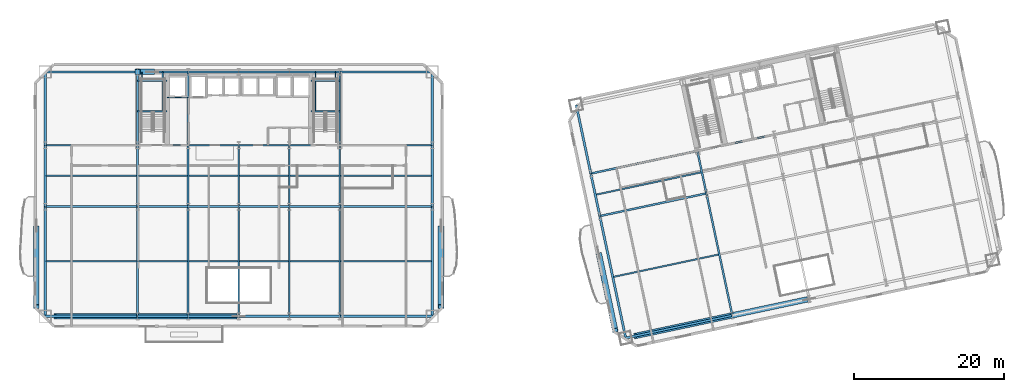
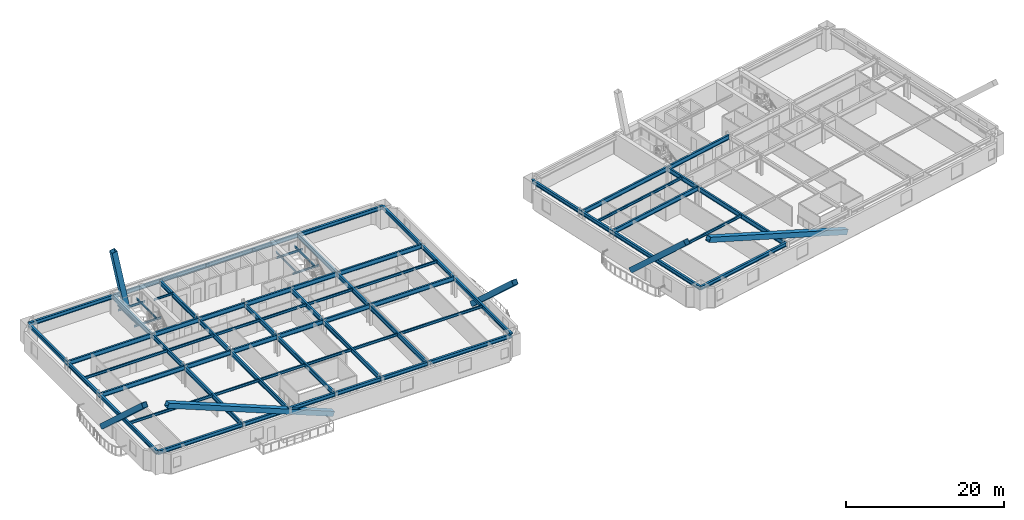
# One storey, part 3 of 17: 75 beams, 6 members.
"""IFC4 building model written with IfcOpenShell, lengths in metres."""

from ifc_helpers import new_model, si_unit, direction, frame, origin, origin_2d, place, context, subcontext, project, spatial, hollow_rectangle, i_section, extrude, material, material_profile, profile_set, type_object, element, save


model = new_model("IFC4")

# Units and contexts
model_context = context("Model", 3, precision=1e-05, world=origin(), true_north=direction((0.0, 1.0)))
body_context = subcontext(model_context, "Body", "Model", "MODEL_VIEW")
ifc_project = project(units=[si_unit("LENGTHUNIT", "METRE"), si_unit("AREAUNIT", "SQUARE_METRE"), si_unit("VOLUMEUNIT", "CUBIC_METRE"), si_unit("PLANEANGLEUNIT", "RADIAN"), si_unit("MASSUNIT", "GRAM", prefix="KILO")], contexts=[model_context])

# Site, building, storey
site_placement = place(None, origin())
site = spatial("IfcSite", under=ifc_project, at=site_placement, CompositionType="ELEMENT")
building_placement = place(site_placement, origin())
building = spatial("IfcBuilding", under=site, at=building_placement, Name="Haevon Station Towers", CompositionType="ELEMENT")
storey_placement = place(building_placement, frame((0.0, 0.0, 40.5)))
storey = spatial("IfcBuildingStorey", under=building, at=storey_placement, Name="L09", CompositionType="ELEMENT", Elevation=40.5)

# Beams
ifc_material_1 = material(Name="Steel S355", Category="steel")
ifc_material_profile_1 = material_profile(ifc_material_1, i_section(OverallWidth=0.25, OverallDepth=0.699951171875, WebThickness=0.012939453125, FlangeThickness=0.02392578125, at=origin_2d()), Name="H-700x250x13x24")
ifc_profile_set_1 = profile_set([ifc_material_profile_1], Name="Steel S355")
beam_type_1 = type_object("IfcBeamType", Name="BM-G700", PredefinedType="BEAM", material=ifc_profile_set_1)
beam_1_placement = place(storey_placement, frame((11.64990234375, 30.0, 2.699951171875), z_axis=(1.0, 0.0, 0.0), x_axis=(0.0, 1.0, 0.0)))
element("IfcBeam", 1, at=beam_1_placement, inside=storey, type_object=beam_type_1, Name="BM-T1U-L09-02-01", PredefinedType="BEAM", context=body_context, shape_type="SweptSolid", body=[
    extrude(i_section(OverallWidth=0.25, OverallDepth=0.699951171875, WebThickness=0.012939453125, FlangeThickness=0.02392578125, at=origin_2d()), origin(), (0.0, 0.0, 1.0), 12.35009765625),
])
for number, where, z_axis, x_axis, name in (
    (2, (24.0, 30.0, 2.699951171875), (1.0, 0.0, 0.0), (0.0, 1.0, 0.0), "BM-T1U-L09-02-02"),
    (3, (30.75, 30.0, 2.699951171875), (1.0, 0.0, 0.0), (0.0, 1.0, 0.0), "BM-T1U-L09-02-03"),
    (4, (37.5, 30.0, 2.699951171875), (1.0, 0.0, 0.0), (0.0, 1.0, 0.0), "BM-T1U-L09-02-04"),
    (5, (44.25, 30.0, 2.699951171875), (1.0, 0.0, 0.0), (0.0, 1.0, 0.0), "BM-T1U-L09-02-05"),
):
    element("IfcBeam", number, at=place(storey_placement, frame(where, z_axis=z_axis, x_axis=x_axis)), inside=storey, type_object=beam_type_1, Name=name, PredefinedType="BEAM", context=body_context, shape_type="SweptSolid", body=[
        extrude(i_section(OverallWidth=0.25, OverallDepth=0.699951171875, WebThickness=0.012939453125, FlangeThickness=0.02392578125, at=origin_2d()), origin(), (0.0, 0.0, 1.0), 6.75),
    ])
for number, where, z_axis, x_axis, name in (
    (6, (51.0, 30.0, 2.699951171875), (1.0, 0.0, 0.0), (0.0, 1.0, 0.0), "BM-T1U-L09-02-06"),
    (7, (11.64990234375, 38.199951171875, 2.699951171875), (1.0, 0.0, 0.0), (0.0, 1.0, 0.0), "BM-T1U-L09-03-01"),
):
    element("IfcBeam", number, at=place(storey_placement, frame(where, z_axis=z_axis, x_axis=x_axis)), inside=storey, type_object=beam_type_1, Name=name, PredefinedType="BEAM", context=body_context, shape_type="SweptSolid", body=[
        extrude(i_section(OverallWidth=0.25, OverallDepth=0.699951171875, WebThickness=0.012939453125, FlangeThickness=0.02392578125, at=origin_2d()), origin(), (0.0, 0.0, 1.0), 12.35009765625),
    ])
for number, where, z_axis, x_axis, name in (
    (8, (24.0, 38.199951171875, 2.699951171875), (1.0, 0.0, 0.0), (0.0, 1.0, 0.0), "BM-T1U-L09-03-02"),
    (9, (30.75, 38.199951171875, 2.699951171875), (1.0, 0.0, 0.0), (0.0, 1.0, 0.0), "BM-T1U-L09-03-03"),
    (10, (37.5, 38.199951171875, 2.699951171875), (1.0, 0.0, 0.0), (0.0, 1.0, 0.0), "BM-T1U-L09-03-04"),
    (11, (44.25, 38.199951171875, 2.699951171875), (1.0, 0.0, 0.0), (0.0, 1.0, 0.0), "BM-T1U-L09-03-05"),
):
    element("IfcBeam", number, at=place(storey_placement, frame(where, z_axis=z_axis, x_axis=x_axis)), inside=storey, type_object=beam_type_1, Name=name, PredefinedType="BEAM", context=body_context, shape_type="SweptSolid", body=[
        extrude(i_section(OverallWidth=0.25, OverallDepth=0.699951171875, WebThickness=0.012939453125, FlangeThickness=0.02392578125, at=origin_2d()), origin(), (0.0, 0.0, 1.0), 6.75),
    ])
beam_2_placement = place(storey_placement, frame((51.0, 38.199951171875, 2.699951171875), z_axis=(1.0, 0.0, 0.0), x_axis=(0.0, 1.0, 0.0)))
element("IfcBeam", 12, at=beam_2_placement, inside=storey, type_object=beam_type_1, Name="BM-T1U-L09-03-06", PredefinedType="BEAM", context=body_context, shape_type="SweptSolid", body=[
    extrude(i_section(OverallWidth=0.25, OverallDepth=0.699951171875, WebThickness=0.012939453125, FlangeThickness=0.02392578125, at=origin_2d()), origin(), (0.0, 0.0, 1.0), 12.35009765625),
])
beam_3_placement = place(storey_placement, frame((24.0, 15.35009765625, 2.699951171875), z_axis=(0.0, 1.0, 0.0), x_axis=(-1.0, 0.0, 0.0)))
element("IfcBeam", 13, at=beam_3_placement, inside=storey, type_object=beam_type_1, Name="BM-T1V-L09-02-01", PredefinedType="BEAM", context=body_context, shape_type="SweptSolid", body=[
    extrude(i_section(OverallWidth=0.25, OverallDepth=0.699951171875, WebThickness=0.012939453125, FlangeThickness=0.02392578125, at=origin_2d()), origin(), (0.0, 0.0, 1.0), 14.64990234375),
])
beam_4_placement = place(storey_placement, frame((24.0, 30.0, 2.699951171875), z_axis=(0.0, 1.0, 0.0), x_axis=(-1.0, 0.0, 0.0)))
element("IfcBeam", 14, at=beam_4_placement, inside=storey, type_object=beam_type_1, Name="BM-T1V-L09-02-02", PredefinedType="BEAM", context=body_context, shape_type="SweptSolid", body=[
    extrude(i_section(OverallWidth=0.25, OverallDepth=0.699951171875, WebThickness=0.012939453125, FlangeThickness=0.02392578125, at=origin_2d()), origin(), (0.0, 0.0, 1.0), 8.199951171875),
])
beam_5_placement = place(storey_placement, frame((24.0, 38.199951171875, 2.699951171875), z_axis=(0.0, 1.0, 0.0), x_axis=(-1.0, 0.0, 0.0)))
element("IfcBeam", 15, at=beam_5_placement, inside=storey, type_object=beam_type_1, Name="BM-T1V-L09-02-03", PredefinedType="BEAM", context=body_context, shape_type="SweptSolid", body=[
    extrude(i_section(OverallWidth=0.25, OverallDepth=0.699951171875, WebThickness=0.012939453125, FlangeThickness=0.02392578125, at=origin_2d()), origin(), (0.0, 0.0, 1.0), 9.800048828125),
])
beam_6_placement = place(storey_placement, frame((30.75, 15.35009765625, 2.699951171875), z_axis=(0.0, 1.0, 0.0), x_axis=(-1.0, 0.0, 0.0)))
element("IfcBeam", 16, at=beam_6_placement, inside=storey, type_object=beam_type_1, Name="BM-T1V-L09-03-01", PredefinedType="BEAM", context=body_context, shape_type="SweptSolid", body=[
    extrude(i_section(OverallWidth=0.25, OverallDepth=0.699951171875, WebThickness=0.012939453125, FlangeThickness=0.02392578125, at=origin_2d()), origin(), (0.0, 0.0, 1.0), 14.64990234375),
])
beam_7_placement = place(storey_placement, frame((30.75, 30.0, 2.699951171875), z_axis=(0.0, 1.0, 0.0), x_axis=(-1.0, 0.0, 0.0)))
element("IfcBeam", 17, at=beam_7_placement, inside=storey, type_object=beam_type_1, Name="BM-T1V-L09-03-02", PredefinedType="BEAM", context=body_context, shape_type="SweptSolid", body=[
    extrude(i_section(OverallWidth=0.25, OverallDepth=0.699951171875, WebThickness=0.012939453125, FlangeThickness=0.02392578125, at=origin_2d()), origin(), (0.0, 0.0, 1.0), 8.199951171875),
])
beam_8_placement = place(storey_placement, frame((30.75, 38.199951171875, 2.699951171875), z_axis=(0.0, 1.0, 0.0), x_axis=(-1.0, 0.0, 0.0)))
element("IfcBeam", 18, at=beam_8_placement, inside=storey, type_object=beam_type_1, Name="BM-T1V-L09-03-03", PredefinedType="BEAM", context=body_context, shape_type="SweptSolid", body=[
    extrude(i_section(OverallWidth=0.25, OverallDepth=0.699951171875, WebThickness=0.012939453125, FlangeThickness=0.02392578125, at=origin_2d()), origin(), (0.0, 0.0, 1.0), 9.800048828125),
])
beam_9_placement = place(storey_placement, frame((37.5, 15.35009765625, 2.699951171875), z_axis=(0.0, 1.0, 0.0), x_axis=(-1.0, 0.0, 0.0)))
element("IfcBeam", 19, at=beam_9_placement, inside=storey, type_object=beam_type_1, Name="BM-T1V-L09-04-01", PredefinedType="BEAM", context=body_context, shape_type="SweptSolid", body=[
    extrude(i_section(OverallWidth=0.25, OverallDepth=0.699951171875, WebThickness=0.012939453125, FlangeThickness=0.02392578125, at=origin_2d()), origin(), (0.0, 0.0, 1.0), 14.64990234375),
])
beam_10_placement = place(storey_placement, frame((37.5, 30.0, 2.699951171875), z_axis=(0.0, 1.0, 0.0), x_axis=(-1.0, 0.0, 0.0)))
element("IfcBeam", 20, at=beam_10_placement, inside=storey, type_object=beam_type_1, Name="BM-T1V-L09-04-02", PredefinedType="BEAM", context=body_context, shape_type="SweptSolid", body=[
    extrude(i_section(OverallWidth=0.25, OverallDepth=0.699951171875, WebThickness=0.012939453125, FlangeThickness=0.02392578125, at=origin_2d()), origin(), (0.0, 0.0, 1.0), 8.199951171875),
])
beam_11_placement = place(storey_placement, frame((44.25, 15.35009765625, 2.699951171875), z_axis=(0.0, 1.0, 0.0), x_axis=(-1.0, 0.0, 0.0)))
element("IfcBeam", 21, at=beam_11_placement, inside=storey, type_object=beam_type_1, Name="BM-T1V-L09-05-01", PredefinedType="BEAM", context=body_context, shape_type="SweptSolid", body=[
    extrude(i_section(OverallWidth=0.25, OverallDepth=0.699951171875, WebThickness=0.012939453125, FlangeThickness=0.02392578125, at=origin_2d()), origin(), (0.0, 0.0, 1.0), 14.64990234375),
])
beam_12_placement = place(storey_placement, frame((44.25, 30.0, 2.699951171875), z_axis=(0.0, 1.0, 0.0), x_axis=(-1.0, 0.0, 0.0)))
element("IfcBeam", 22, at=beam_12_placement, inside=storey, type_object=beam_type_1, Name="BM-T1V-L09-05-02", PredefinedType="BEAM", context=body_context, shape_type="SweptSolid", body=[
    extrude(i_section(OverallWidth=0.25, OverallDepth=0.699951171875, WebThickness=0.012939453125, FlangeThickness=0.02392578125, at=origin_2d()), origin(), (0.0, 0.0, 1.0), 8.199951171875),
])
beam_13_placement = place(storey_placement, frame((51.0, 15.35009765625, 2.699951171875), z_axis=(0.0, 1.0, 0.0), x_axis=(-1.0, 0.0, 0.0)))
element("IfcBeam", 23, at=beam_13_placement, inside=storey, type_object=beam_type_1, Name="BM-T1V-L09-06-01", PredefinedType="BEAM", context=body_context, shape_type="SweptSolid", body=[
    extrude(i_section(OverallWidth=0.25, OverallDepth=0.699951171875, WebThickness=0.012939453125, FlangeThickness=0.02392578125, at=origin_2d()), origin(), (0.0, 0.0, 1.0), 14.64990234375),
])
beam_14_placement = place(storey_placement, frame((51.0, 30.0, 2.699951171875), z_axis=(0.0, 1.0, 0.0), x_axis=(-1.0, 0.0, 0.0)))
element("IfcBeam", 24, at=beam_14_placement, inside=storey, type_object=beam_type_1, Name="BM-T1V-L09-06-02", PredefinedType="BEAM", context=body_context, shape_type="SweptSolid", body=[
    extrude(i_section(OverallWidth=0.25, OverallDepth=0.699951171875, WebThickness=0.012939453125, FlangeThickness=0.02392578125, at=origin_2d()), origin(), (0.0, 0.0, 1.0), 8.199951171875),
])
beam_15_placement = place(storey_placement, frame((51.0, 38.199951171875, 2.699951171875), z_axis=(0.0, 1.0, 0.0), x_axis=(-1.0, 0.0, 0.0)))
element("IfcBeam", 25, at=beam_15_placement, inside=storey, type_object=beam_type_1, Name="BM-T1V-L09-06-03", PredefinedType="BEAM", context=body_context, shape_type="SweptSolid", body=[
    extrude(i_section(OverallWidth=0.25, OverallDepth=0.699951171875, WebThickness=0.012939453125, FlangeThickness=0.02392578125, at=origin_2d()), origin(), (0.0, 0.0, 1.0), 9.800048828125),
])
for number, where, z_axis, x_axis, name in (
    (26, (85.72607421875, 28.744140625, 2.699951171875), (0.978150960994, 0.207895881409, 0.0), (-0.207895881409, 0.978150960994, 0.0), "BM-T2U-L09-02-01"),
    (27, (84.520263671875, 34.417236328125, 2.699951171875), (0.978147548738, 0.207911935439, 0.0), (-0.207911935439, 0.978147548738, 0.0), "BM-T2U-L09-03-01"),
):
    element("IfcBeam", number, at=place(storey_placement, frame(where, z_axis=z_axis, x_axis=x_axis)), inside=storey, type_object=beam_type_1, Name=name, PredefinedType="BEAM", context=body_context, shape_type="SweptSolid", body=[
        extrude(i_section(OverallWidth=0.25, OverallDepth=0.699951171875, WebThickness=0.012939453125, FlangeThickness=0.02392578125, at=origin_2d()), origin(), (0.0, 0.0, 1.0), 14.550048828125),
    ])
beam_16_placement = place(storey_placement, frame((98.75244140625, 37.4423828125, 2.699951171875), z_axis=(0.978146794194, 0.207915485254, 0.0), x_axis=(-0.207915485254, 0.978146794194, 0.0)))
element("IfcBeam", 28, at=beam_16_placement, inside=storey, type_object=beam_type_1, Name="BM-T2U-L09-03-02", PredefinedType="BEAM", context=body_context, shape_type="SweptSolid", body=[
    extrude(i_section(OverallWidth=0.25, OverallDepth=0.699951171875, WebThickness=0.012939453125, FlangeThickness=0.02392578125, at=origin_2d()), origin(), (0.0, 0.0, 1.0), 10.5),
])
beam_17_placement = place(storey_placement, frame((103.419921875, 15.48291015625, 2.699951171875), z_axis=(-0.20790856066, 0.978148266064, 0.0), x_axis=(-0.978148266064, -0.20790856066, 0.0)))
element("IfcBeam", 29, at=beam_17_placement, inside=storey, type_object=beam_type_1, Name="BM-T2V-L09-02-01", PredefinedType="BEAM", context=body_context, shape_type="SweptSolid", body=[
    extrude(i_section(OverallWidth=0.25, OverallDepth=0.699951171875, WebThickness=0.012939453125, FlangeThickness=0.02392578125, at=origin_2d()), origin(), (0.0, 0.0, 1.0), 16.64990234375),
])
beam_18_placement = place(storey_placement, frame((99.958251953125, 31.76904296875, 2.699951171875), z_axis=(-0.207896009217, 0.97815093383, 0.0), x_axis=(-0.97815093383, -0.207896009217, 0.0)))
element("IfcBeam", 30, at=beam_18_placement, inside=storey, type_object=beam_type_1, Name="BM-T2V-L09-02-02", PredefinedType="BEAM", context=body_context, shape_type="SweptSolid", body=[
    extrude(i_section(OverallWidth=0.25, OverallDepth=0.699951171875, WebThickness=0.012939453125, FlangeThickness=0.02392578125, at=origin_2d()), origin(), (0.0, 0.0, 1.0), 5.800048828125),
])
ifc_material_profile_2 = material_profile(ifc_material_1, i_section(OverallWidth=0.199951171875, OverallDepth=0.39990234375, WebThickness=0.008056640625, FlangeThickness=0.012939453125, at=origin_2d()), Name="H-400x200x8x13")
ifc_profile_set_2 = profile_set([ifc_material_profile_2], Name="Steel S355")
beam_type_2 = type_object("IfcBeamType", Name="BM-J400", PredefinedType="JOIST", material=ifc_profile_set_2)
beam_19_placement = place(storey_placement, frame((11.760009765625, 22.675048828125, 2.85009765625), z_axis=(1.0, 0.0, 0.0), x_axis=(0.0, 1.0, 0.0)))
element("IfcBeam", 31, at=beam_19_placement, inside=storey, type_object=beam_type_2, Name="BM-T1J-L09-01-01", PredefinedType="JOIST", context=body_context, shape_type="SweptSolid", body=[
    extrude(i_section(OverallWidth=0.199951171875, OverallDepth=0.39990234375, WebThickness=0.008056640625, FlangeThickness=0.012939453125, at=origin_2d()), origin(), (0.0, 0.0, 1.0), 12.1298828125),
])
for number, where, z_axis, x_axis, name in (
    (32, (24.110107421875, 22.675048828125, 2.85009765625), (1.0, 0.0, 0.0), (0.0, 1.0, 0.0), "BM-T1J-L09-01-02"),
    (33, (30.860107421875, 22.675048828125, 2.85009765625), (1.0, 0.0, 0.0), (0.0, 1.0, 0.0), "BM-T1J-L09-01-03"),
    (34, (37.610107421875, 22.675048828125, 2.85009765625), (1.0, 0.0, 0.0), (0.0, 1.0, 0.0), "BM-T1J-L09-01-04"),
    (35, (44.360107421875, 22.675048828125, 2.85009765625), (1.0, 0.0, 0.0), (0.0, 1.0, 0.0), "BM-T1J-L09-01-05"),
):
    element("IfcBeam", number, at=place(storey_placement, frame(where, z_axis=z_axis, x_axis=x_axis)), inside=storey, type_object=beam_type_2, Name=name, PredefinedType="JOIST", context=body_context, shape_type="SweptSolid", body=[
        extrude(i_section(OverallWidth=0.199951171875, OverallDepth=0.39990234375, WebThickness=0.008056640625, FlangeThickness=0.012939453125, at=origin_2d()), origin(), (0.0, 0.0, 1.0), 6.52978515625),
    ])
for number, where, z_axis, x_axis, name in (
    (36, (51.110107421875, 22.675048828125, 2.85009765625), (1.0, 0.0, 0.0), (0.0, 1.0, 0.0), "BM-T1J-L09-01-06"),
    (37, (11.760009765625, 34.10009765625, 2.85009765625), (1.0, 0.0, 0.0), (0.0, 1.0, 0.0), "BM-T1J-L09-02-01"),
):
    element("IfcBeam", number, at=place(storey_placement, frame(where, z_axis=z_axis, x_axis=x_axis)), inside=storey, type_object=beam_type_2, Name=name, PredefinedType="JOIST", context=body_context, shape_type="SweptSolid", body=[
        extrude(i_section(OverallWidth=0.199951171875, OverallDepth=0.39990234375, WebThickness=0.008056640625, FlangeThickness=0.012939453125, at=origin_2d()), origin(), (0.0, 0.0, 1.0), 12.1298828125),
    ])
for number, where, z_axis, x_axis, name in (
    (38, (24.110107421875, 34.10009765625, 2.85009765625), (1.0, 0.0, 0.0), (0.0, 1.0, 0.0), "BM-T1J-L09-02-02"),
    (39, (30.860107421875, 34.10009765625, 2.85009765625), (1.0, 0.0, 0.0), (0.0, 1.0, 0.0), "BM-T1J-L09-02-03"),
    (40, (37.610107421875, 34.10009765625, 2.85009765625), (1.0, 0.0, 0.0), (0.0, 1.0, 0.0), "BM-T1J-L09-02-04"),
    (41, (44.360107421875, 34.10009765625, 2.85009765625), (1.0, 0.0, 0.0), (0.0, 1.0, 0.0), "BM-T1J-L09-02-05"),
):
    element("IfcBeam", number, at=place(storey_placement, frame(where, z_axis=z_axis, x_axis=x_axis)), inside=storey, type_object=beam_type_2, Name=name, PredefinedType="JOIST", context=body_context, shape_type="SweptSolid", body=[
        extrude(i_section(OverallWidth=0.199951171875, OverallDepth=0.39990234375, WebThickness=0.008056640625, FlangeThickness=0.012939453125, at=origin_2d()), origin(), (0.0, 0.0, 1.0), 6.52978515625),
    ])
beam_20_placement = place(storey_placement, frame((51.110107421875, 34.10009765625, 2.85009765625), z_axis=(1.0, 0.0, 0.0), x_axis=(0.0, 1.0, 0.0)))
element("IfcBeam", 42, at=beam_20_placement, inside=storey, type_object=beam_type_2, Name="BM-T1J-L09-02-06", PredefinedType="JOIST", context=body_context, shape_type="SweptSolid", body=[
    extrude(i_section(OverallWidth=0.199951171875, OverallDepth=0.39990234375, WebThickness=0.008056640625, FlangeThickness=0.012939453125, at=origin_2d()), origin(), (0.0, 0.0, 1.0), 12.1298828125),
])
for number, where, z_axis, x_axis, name in (
    (43, (87.564697265625, 20.623779296875, 2.85009765625), (0.978145902522, 0.207919680114, 0.0), (-0.207919680114, 0.978145902522, 0.0), "BM-T2J-L09-01-01"),
    (44, (85.23095703125, 31.603515625, 2.85009765625), (0.978145902522, 0.207919680114, 0.0), (-0.207919680114, 0.978145902522, 0.0), "BM-T2J-L09-02-01"),
):
    element("IfcBeam", number, at=place(storey_placement, frame(where, z_axis=z_axis, x_axis=x_axis)), inside=storey, type_object=beam_type_2, Name=name, PredefinedType="JOIST", context=body_context, shape_type="SweptSolid", body=[
        extrude(i_section(OverallWidth=0.199951171875, OverallDepth=0.39990234375, WebThickness=0.008056640625, FlangeThickness=0.012939453125, at=origin_2d()), origin(), (0.0, 0.0, 1.0), 14.330078125),
    ])
ifc_material_profile_3 = material_profile(ifc_material_1, i_section(OverallWidth=0.14990234375, OverallDepth=0.300048828125, WebThickness=0.006591796875, FlangeThickness=0.009033203125, at=origin_2d()), Name="H-300x150x6.5x9")
ifc_profile_set_3 = profile_set([ifc_material_profile_3], Name="Steel S355")
beam_type_3 = type_object("IfcBeamType", Name="BM-LIN300", PredefinedType="LINTEL", material=ifc_profile_set_3)
for number, where, z_axis, x_axis, name in (
    (45, (24.0, 42.743896484375, 1.300048828125), (1.0, 0.0, 0.0), (0.0, 1.0, 0.0), "BM-ST1L-L09-1-S"),
    (46, (24.0, 46.820068359375, 1.300048828125), (1.0, 0.0, 0.0), (0.0, 1.0, 0.0), "BM-ST1L-L09-1-N"),
):
    element("IfcBeam", number, at=place(storey_placement, frame(where, z_axis=z_axis, x_axis=x_axis)), inside=storey, type_object=beam_type_3, Name=name, PredefinedType="LINTEL", context=body_context, shape_type="SweptSolid", body=[
        extrude(i_section(OverallWidth=0.14990234375, OverallDepth=0.300048828125, WebThickness=0.006591796875, FlangeThickness=0.009033203125, at=origin_2d()), origin(), (0.0, 0.0, 1.0), 3.949951171875),
    ])
for number, where, z_axis, x_axis, name in (
    (47, (24.60009765625, 42.743896484375, 1.300048828125), (0.0, 1.0, 0.0), (-1.0, 0.0, 0.0), "BM-ST1L-L09-1-W"),
    (48, (27.35009765625, 42.743896484375, 1.300048828125), (0.0, 1.0, 0.0), (-1.0, 0.0, 0.0), "BM-ST1L-L09-1-E"),
):
    element("IfcBeam", number, at=place(storey_placement, frame(where, z_axis=z_axis, x_axis=x_axis)), inside=storey, type_object=beam_type_3, Name=name, PredefinedType="LINTEL", context=body_context, shape_type="SweptSolid", body=[
        extrude(i_section(OverallWidth=0.14990234375, OverallDepth=0.300048828125, WebThickness=0.006591796875, FlangeThickness=0.009033203125, at=origin_2d()), origin(), (0.0, 0.0, 1.0), 5.256103515625),
    ])
for number, where, z_axis, x_axis, name in (
    (49, (47.14990234375, 42.743896484375, 1.300048828125), (1.0, 0.0, 0.0), (0.0, 1.0, 0.0), "BM-ST2L-L09-1-S"),
    (50, (47.14990234375, 46.820068359375, 1.300048828125), (1.0, 0.0, 0.0), (0.0, 1.0, 0.0), "BM-ST2L-L09-1-N"),
):
    element("IfcBeam", number, at=place(storey_placement, frame(where, z_axis=z_axis, x_axis=x_axis)), inside=storey, type_object=beam_type_3, Name=name, PredefinedType="LINTEL", context=body_context, shape_type="SweptSolid", body=[
        extrude(i_section(OverallWidth=0.14990234375, OverallDepth=0.300048828125, WebThickness=0.006591796875, FlangeThickness=0.009033203125, at=origin_2d()), origin(), (0.0, 0.0, 1.0), 3.85009765625),
    ])
for number, where, z_axis, x_axis, name in (
    (51, (47.75, 42.743896484375, 1.300048828125), (0.0, 1.0, 0.0), (-1.0, 0.0, 0.0), "BM-ST2L-L09-1-W"),
    (52, (50.39990234375, 42.743896484375, 1.300048828125), (0.0, 1.0, 0.0), (-1.0, 0.0, 0.0), "BM-ST2L-L09-1-E"),
):
    element("IfcBeam", number, at=place(storey_placement, frame(where, z_axis=z_axis, x_axis=x_axis)), inside=storey, type_object=beam_type_3, Name=name, PredefinedType="LINTEL", context=body_context, shape_type="SweptSolid", body=[
        extrude(i_section(OverallWidth=0.14990234375, OverallDepth=0.300048828125, WebThickness=0.006591796875, FlangeThickness=0.009033203125, at=origin_2d()), origin(), (0.0, 0.0, 1.0), 5.256103515625),
    ])
beam_21_placement = place(storey_placement, frame((27.949951171875, 44.60009765625, 2.89990234375), z_axis=(1.0, 0.0, 0.0), x_axis=(0.0, 1.0, 0.0)))
element("IfcBeam", 53, at=beam_21_placement, inside=storey, type_object=beam_type_3, Name="BM-T1LIN-L09", PredefinedType="LINTEL", context=body_context, shape_type="SweptSolid", body=[
    extrude(i_section(OverallWidth=0.14990234375, OverallDepth=0.300048828125, WebThickness=0.006591796875, FlangeThickness=0.009033203125, at=origin_2d()), origin(), (0.0, 0.0, 1.0), 2.85009765625),
])
ifc_material_profile_4 = material_profile(ifc_material_1, i_section(OverallWidth=0.300048828125, OverallDepth=0.587890625, WebThickness=0.011962890625, FlangeThickness=0.02001953125, at=origin_2d()), Name="H-588x300x12x20")
ifc_profile_set_4 = profile_set([ifc_material_profile_4], Name="Steel S355")
beam_type_4 = type_object("IfcBeamType", Name="BM-SP588", PredefinedType="SPANDREL", material=ifc_profile_set_4)
beam_22_placement = place(storey_placement, frame((11.64990234375, 15.35009765625, 2.756103515625), z_axis=(1.0, 0.0, 0.0), x_axis=(0.0, 1.0, 0.0)))
element("IfcBeam", 54, at=beam_22_placement, inside=storey, type_object=beam_type_4, Name="BM-T1U-L09-01-01", PredefinedType="SPANDREL", context=body_context, shape_type="SweptSolid", body=[
    extrude(i_section(OverallWidth=0.300048828125, OverallDepth=0.587890625, WebThickness=0.011962890625, FlangeThickness=0.02001953125, at=origin_2d()), origin(), (0.0, 0.0, 1.0), 12.35009765625),
])
for number, where, z_axis, x_axis, name in (
    (55, (24.0, 15.35009765625, 2.756103515625), (1.0, 0.0, 0.0), (0.0, 1.0, 0.0), "BM-T1U-L09-01-02"),
    (56, (30.75, 15.35009765625, 2.756103515625), (1.0, 0.0, 0.0), (0.0, 1.0, 0.0), "BM-T1U-L09-01-03"),
    (57, (37.5, 15.35009765625, 2.756103515625), (1.0, 0.0, 0.0), (0.0, 1.0, 0.0), "BM-T1U-L09-01-04"),
    (58, (44.25, 15.35009765625, 2.756103515625), (1.0, 0.0, 0.0), (0.0, 1.0, 0.0), "BM-T1U-L09-01-05"),
):
    element("IfcBeam", number, at=place(storey_placement, frame(where, z_axis=z_axis, x_axis=x_axis)), inside=storey, type_object=beam_type_4, Name=name, PredefinedType="SPANDREL", context=body_context, shape_type="SweptSolid", body=[
        extrude(i_section(OverallWidth=0.300048828125, OverallDepth=0.587890625, WebThickness=0.011962890625, FlangeThickness=0.02001953125, at=origin_2d()), origin(), (0.0, 0.0, 1.0), 6.75),
    ])
for number, where, z_axis, x_axis, name in (
    (59, (51.0, 15.35009765625, 2.756103515625), (1.0, 0.0, 0.0), (0.0, 1.0, 0.0), "BM-T1U-L09-01-06"),
    (60, (11.64990234375, 48.0, 2.756103515625), (1.0, 0.0, 0.0), (0.0, 1.0, 0.0), "BM-T1U-L09-04-01"),
):
    element("IfcBeam", number, at=place(storey_placement, frame(where, z_axis=z_axis, x_axis=x_axis)), inside=storey, type_object=beam_type_4, Name=name, PredefinedType="SPANDREL", context=body_context, shape_type="SweptSolid", body=[
        extrude(i_section(OverallWidth=0.300048828125, OverallDepth=0.587890625, WebThickness=0.011962890625, FlangeThickness=0.02001953125, at=origin_2d()), origin(), (0.0, 0.0, 1.0), 12.35009765625),
    ])
for number, where, z_axis, x_axis, name in (
    (61, (24.0, 48.0, 2.756103515625), (1.0, 0.0, 0.0), (0.0, 1.0, 0.0), "BM-T1U-L09-04-02"),
    (62, (30.75, 48.0, 2.756103515625), (1.0, 0.0, 0.0), (0.0, 1.0, 0.0), "BM-T1U-L09-04-03"),
    (63, (37.5, 48.0, 2.756103515625), (1.0, 0.0, 0.0), (0.0, 1.0, 0.0), "BM-T1U-L09-04-04"),
    (64, (44.25, 48.0, 2.756103515625), (1.0, 0.0, 0.0), (0.0, 1.0, 0.0), "BM-T1U-L09-04-05"),
):
    element("IfcBeam", number, at=place(storey_placement, frame(where, z_axis=z_axis, x_axis=x_axis)), inside=storey, type_object=beam_type_4, Name=name, PredefinedType="SPANDREL", context=body_context, shape_type="SweptSolid", body=[
        extrude(i_section(OverallWidth=0.300048828125, OverallDepth=0.587890625, WebThickness=0.011962890625, FlangeThickness=0.02001953125, at=origin_2d()), origin(), (0.0, 0.0, 1.0), 6.75),
    ])
beam_23_placement = place(storey_placement, frame((51.0, 48.0, 2.756103515625), z_axis=(1.0, 0.0, 0.0), x_axis=(0.0, 1.0, 0.0)))
element("IfcBeam", 65, at=beam_23_placement, inside=storey, type_object=beam_type_4, Name="BM-T1U-L09-04-06", PredefinedType="SPANDREL", context=body_context, shape_type="SweptSolid", body=[
    extrude(i_section(OverallWidth=0.300048828125, OverallDepth=0.587890625, WebThickness=0.011962890625, FlangeThickness=0.02001953125, at=origin_2d()), origin(), (0.0, 0.0, 1.0), 12.35009765625),
])
beam_24_placement = place(storey_placement, frame((11.64990234375, 15.35009765625, 2.756103515625), z_axis=(0.0, 1.0, 0.0), x_axis=(-1.0, 0.0, 0.0)))
element("IfcBeam", 66, at=beam_24_placement, inside=storey, type_object=beam_type_4, Name="BM-T1V-L09-01-01", PredefinedType="SPANDREL", context=body_context, shape_type="SweptSolid", body=[
    extrude(i_section(OverallWidth=0.300048828125, OverallDepth=0.587890625, WebThickness=0.011962890625, FlangeThickness=0.02001953125, at=origin_2d()), origin(), (0.0, 0.0, 1.0), 14.64990234375),
])
beam_25_placement = place(storey_placement, frame((11.64990234375, 30.0, 2.756103515625), z_axis=(0.0, 1.0, 0.0), x_axis=(-1.0, 0.0, 0.0)))
element("IfcBeam", 67, at=beam_25_placement, inside=storey, type_object=beam_type_4, Name="BM-T1V-L09-01-02", PredefinedType="SPANDREL", context=body_context, shape_type="SweptSolid", body=[
    extrude(i_section(OverallWidth=0.300048828125, OverallDepth=0.587890625, WebThickness=0.011962890625, FlangeThickness=0.02001953125, at=origin_2d()), origin(), (0.0, 0.0, 1.0), 8.199951171875),
])
beam_26_placement = place(storey_placement, frame((11.64990234375, 38.199951171875, 2.756103515625), z_axis=(0.0, 1.0, 0.0), x_axis=(-1.0, 0.0, 0.0)))
element("IfcBeam", 68, at=beam_26_placement, inside=storey, type_object=beam_type_4, Name="BM-T1V-L09-01-03", PredefinedType="SPANDREL", context=body_context, shape_type="SweptSolid", body=[
    extrude(i_section(OverallWidth=0.300048828125, OverallDepth=0.587890625, WebThickness=0.011962890625, FlangeThickness=0.02001953125, at=origin_2d()), origin(), (0.0, 0.0, 1.0), 9.800048828125),
])
beam_27_placement = place(storey_placement, frame((63.35009765625, 15.35009765625, 2.756103515625), z_axis=(0.0, 1.0, 0.0), x_axis=(-1.0, 0.0, 0.0)))
element("IfcBeam", 69, at=beam_27_placement, inside=storey, type_object=beam_type_4, Name="BM-T1V-L09-07-01", PredefinedType="SPANDREL", context=body_context, shape_type="SweptSolid", body=[
    extrude(i_section(OverallWidth=0.300048828125, OverallDepth=0.587890625, WebThickness=0.011962890625, FlangeThickness=0.02001953125, at=origin_2d()), origin(), (0.0, 0.0, 1.0), 14.64990234375),
])
beam_28_placement = place(storey_placement, frame((63.35009765625, 30.0, 2.756103515625), z_axis=(0.0, 1.0, 0.0), x_axis=(-1.0, 0.0, 0.0)))
element("IfcBeam", 70, at=beam_28_placement, inside=storey, type_object=beam_type_4, Name="BM-T1V-L09-07-02", PredefinedType="SPANDREL", context=body_context, shape_type="SweptSolid", body=[
    extrude(i_section(OverallWidth=0.300048828125, OverallDepth=0.587890625, WebThickness=0.011962890625, FlangeThickness=0.02001953125, at=origin_2d()), origin(), (0.0, 0.0, 1.0), 8.199951171875),
])
beam_29_placement = place(storey_placement, frame((63.35009765625, 38.199951171875, 2.756103515625), z_axis=(0.0, 1.0, 0.0), x_axis=(-1.0, 0.0, 0.0)))
element("IfcBeam", 71, at=beam_29_placement, inside=storey, type_object=beam_type_4, Name="BM-T1V-L09-07-03", PredefinedType="SPANDREL", context=body_context, shape_type="SweptSolid", body=[
    extrude(i_section(OverallWidth=0.300048828125, OverallDepth=0.587890625, WebThickness=0.011962890625, FlangeThickness=0.02001953125, at=origin_2d()), origin(), (0.0, 0.0, 1.0), 9.800048828125),
])
beam_30_placement = place(storey_placement, frame((89.18798828125, 12.457763671875, 2.756103515625), z_axis=(0.978146823396, 0.207915347869, 0.0), x_axis=(-0.207915347869, 0.978146823396, 0.0)))
element("IfcBeam", 72, at=beam_30_placement, inside=storey, type_object=beam_type_4, Name="BM-T2U-L09-01-01", PredefinedType="SPANDREL", context=body_context, shape_type="SweptSolid", body=[
    extrude(i_section(OverallWidth=0.300048828125, OverallDepth=0.587890625, WebThickness=0.011962890625, FlangeThickness=0.02001953125, at=origin_2d()), origin(), (0.0, 0.0, 1.0), 14.5498046875),
])
beam_31_placement = place(storey_placement, frame((89.18798828125, 12.457763671875, 2.756103515625), z_axis=(-0.207919607786, 0.978145917897, 0.0), x_axis=(-0.978145917897, -0.207919607786, 0.0)))
element("IfcBeam", 73, at=beam_31_placement, inside=storey, type_object=beam_type_4, Name="BM-T2V-L09-01-01", PredefinedType="SPANDREL", context=body_context, shape_type="SweptSolid", body=[
    extrude(i_section(OverallWidth=0.300048828125, OverallDepth=0.587890625, WebThickness=0.011962890625, FlangeThickness=0.02001953125, at=origin_2d()), origin(), (0.0, 0.0, 1.0), 16.650146484375),
])
beam_32_placement = place(storey_placement, frame((85.72607421875, 28.744140625, 2.756103515625), z_axis=(-0.207904569273, 0.978149114438, 0.0), x_axis=(-0.978149114438, -0.207904569273, 0.0)))
element("IfcBeam", 74, at=beam_32_placement, inside=storey, type_object=beam_type_4, Name="BM-T2V-L09-01-02", PredefinedType="SPANDREL", context=body_context, shape_type="SweptSolid", body=[
    extrude(i_section(OverallWidth=0.300048828125, OverallDepth=0.587890625, WebThickness=0.011962890625, FlangeThickness=0.02001953125, at=origin_2d()), origin(), (0.0, 0.0, 1.0), 5.7998046875),
])
beam_33_placement = place(storey_placement, frame((84.520263671875, 34.417236328125, 2.756103515625), z_axis=(-0.207897167074, 0.978150687738, 0.0), x_axis=(-0.978150687738, -0.207897167074, 0.0)))
element("IfcBeam", 75, at=beam_33_placement, inside=storey, type_object=beam_type_4, Name="BM-T2V-L09-01-03", PredefinedType="SPANDREL", context=body_context, shape_type="SweptSolid", body=[
    extrude(i_section(OverallWidth=0.300048828125, OverallDepth=0.587890625, WebThickness=0.011962890625, FlangeThickness=0.02001953125, at=origin_2d()), origin(), (0.0, 0.0, 1.0), 9.35009765625),
])

# Members
ifc_material_2 = material(Name="Steel S460", Category="steel")
ifc_material_profile_5 = material_profile(ifc_material_2, hollow_rectangle(XDim=0.75, YDim=0.75, WallThickness=0.035888671875, at=origin_2d()), Name="RHS-750x750x36")
ifc_profile_set_5 = profile_set([ifc_material_profile_5], Name="Steel S460")
member_type = type_object("IfcMemberType", Name="MB-750", PredefinedType="BRACE", material=ifc_profile_set_5)
member_1_placement = place(storey_placement, frame((37.14111328125, 15.35009765625, 0.009521484375), z_axis=(-0.927627848077, 0.0, 0.373505790414), x_axis=(0.0, -1.0, 0.0)))
element("IfcMember", 76, at=member_1_placement, inside=storey, type_object=member_type, Name="BR-T1MB-T00-S-D2B", PredefinedType="BRACE", context=body_context, shape_type="SweptSolid", body=[
    extrude(hollow_rectangle(XDim=0.75, YDim=0.75, WallThickness=0.035888671875, at=origin_2d()), origin(), (0.0, 0.0, 1.0), 26.07861328125),
])
member_2_placement = place(storey_placement, frame((25.899169921875, 48.0, 0.244384765625), z_axis=(-0.195922392356, 0.0, 0.980619404343), x_axis=(0.0, -1.0, 0.0)))
element("IfcMember", 77, at=member_2_placement, inside=storey, type_object=member_type, Name="BR-T1MB-T00-N-D2B", PredefinedType="BRACE", context=body_context, shape_type="SweptSolid", body=[
    extrude(hollow_rectangle(XDim=0.75, YDim=0.75, WallThickness=0.035888671875, at=origin_2d()), origin(), (0.0, 0.0, 1.0), 9.693359375),
])
for number, where, z_axis, x_axis, name in (
    (78, (10.47998046875, 27.139892578125, 0.126708984375), (0.0, -0.736892819538, 0.676009594986), (1.0, 0.0, 0.0), "BR-T1MB-T00-W-D2B"),
    (79, (64.52001953125, 27.139892578125, 0.126708984375), (0.0, -0.736892819538, 0.676009594986), (1.0, 0.0, 0.0), "BR-T1MB-T00-E-D2B"),
):
    element("IfcMember", number, at=place(storey_placement, frame(where, z_axis=z_axis, x_axis=x_axis)), inside=storey, type_object=member_type, Name=name, PredefinedType="BRACE", context=body_context, shape_type="SweptSolid", body=[
        extrude(hollow_rectangle(XDim=0.75, YDim=0.75, WallThickness=0.035888671875, at=origin_2d()), origin(), (0.0, 0.0, 1.0), 14.2353515625),
    ])
member_3_placement = place(storey_placement, frame((113.341064453125, 17.591796875, 0.013671875), z_axis=(-0.903052292316, -0.191945463923, 0.38425707049), x_axis=(0.207907310906, -0.978148531703, 0.0)))
element("IfcMember", 80, at=member_3_placement, inside=storey, type_object=member_type, Name="BR-T2MB-T00-S-D2B", PredefinedType="BRACE", context=body_context, shape_type="SweptSolid", body=[
    extrude(hollow_rectangle(XDim=0.75, YDim=0.75, WallThickness=0.035888671875, at=origin_2d()), origin(), (0.0, 0.0, 1.0), 25.338134765625),
])
member_4_placement = place(storey_placement, frame((85.63330078125, 23.553466796875, 0.129150390625), z_axis=(0.151888801157, -0.714561861461, 0.682884425235), x_axis=(0.978146490298, 0.207916914938, 0.0)))
element("IfcMember", 81, at=member_4_placement, inside=storey, type_object=member_type, Name="BR-T2MB-T00-W-D2B", PredefinedType="BRACE", context=body_context, shape_type="SweptSolid", body=[
    extrude(hollow_rectangle(XDim=0.75, YDim=0.75, WallThickness=0.035888671875, at=origin_2d()), origin(), (0.0, 0.0, 1.0), 14.088623046875),
])

save(model, "model.ifc")
